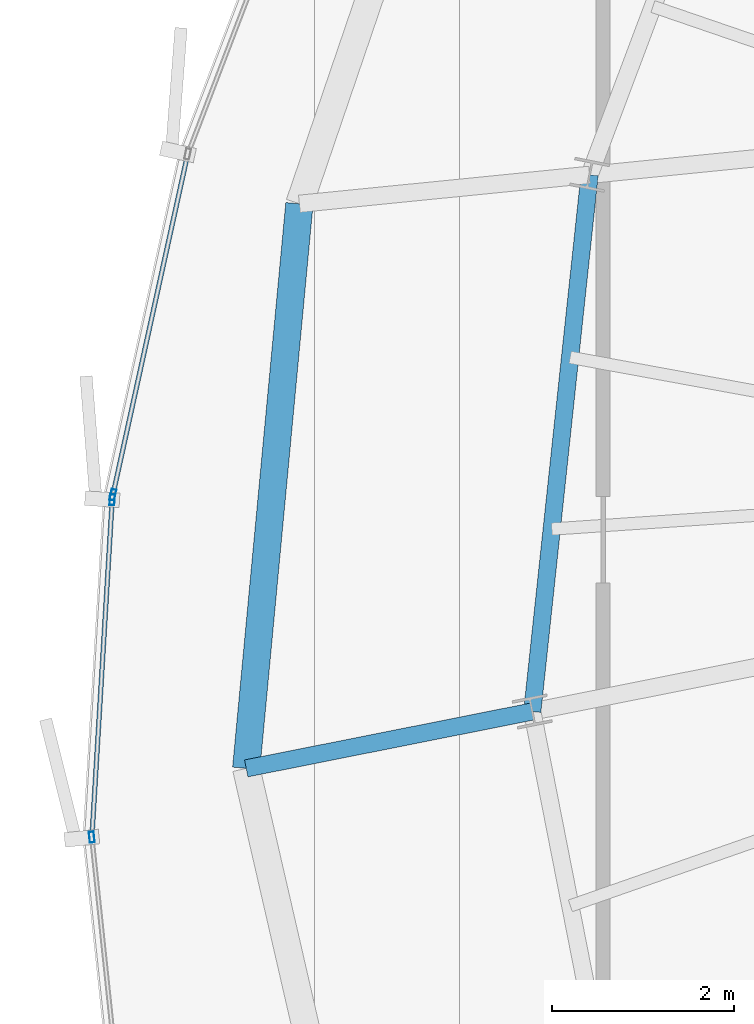
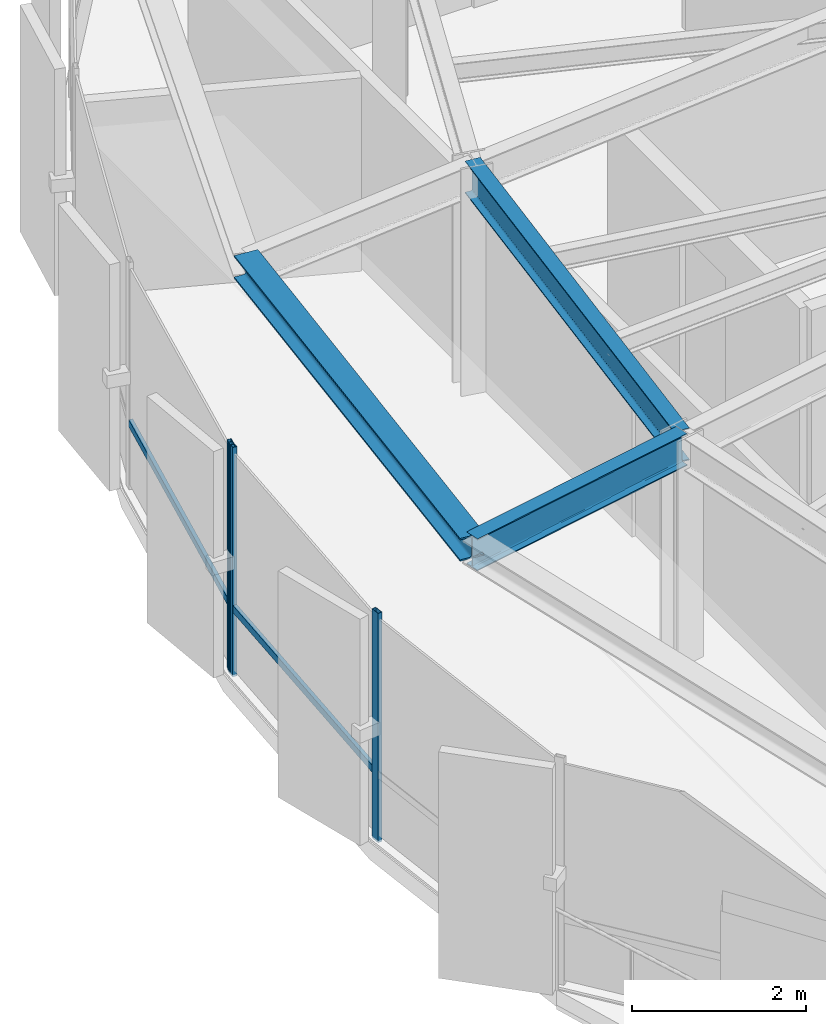
# One storey, part 9 of 34: 5 members, 3 beams, 2 elements without a shape of their own.
"""IFC4 building model written with IfcOpenShell, lengths in metres."""

from ifc_helpers import new_model, si_unit, direction, frame, origin, origin_2d, place, context, subcontext, project, spatial, hollow_rectangle, i_section, extrude, source, transform, mapped, material, layer, layer_set, material_profile, profile_set, type_object, element, aggregate, save


model = new_model("IFC4")

# Units and contexts
model_context = context("Model", 3, precision=1e-05, world=origin(), true_north=direction((0.0, 1.0)))
body_context = subcontext(model_context, "Body", "Model", "MODEL_VIEW")
ifc_project = project(units=[si_unit("LENGTHUNIT", "METRE"), si_unit("AREAUNIT", "SQUARE_METRE"), si_unit("VOLUMEUNIT", "CUBIC_METRE"), si_unit("PLANEANGLEUNIT", "RADIAN"), si_unit("MASSUNIT", "GRAM", prefix="KILO"), si_unit("THERMODYNAMICTEMPERATUREUNIT", "KELVIN")], contexts=[model_context])

# Site, building, storey
site_placement = place(None, origin())
site = spatial("IfcSite", under=ifc_project, at=site_placement, CompositionType="ELEMENT")
building_placement = place(site_placement, origin())
building = spatial("IfcBuilding", under=site, at=building_placement, Name="Kethvar Cultural Tower", CompositionType="ELEMENT")
storey_placement = place(building_placement, frame((0.0, 0.0, 262.89990234375)))
storey = spatial("IfcBuildingStorey", under=building, at=storey_placement, Name="L69", CompositionType="ELEMENT", Elevation=262.89990234375)

# Beams
ifc_material_1 = material(Name="Steel S355J2", Category="steel")
ifc_material_profile_1 = material_profile(ifc_material_1, i_section(OverallWidth=0.18994140625, OverallDepth=0.449951171875, WebThickness=0.009521484375, FlangeThickness=0.0146484375, FilletRadius=0.02099609375, at=origin_2d()), Name="Steel S355J2 — IPE450")
ifc_profile_set_1 = profile_set([ifc_material_profile_1], Name="Steel S355J2 — IPE450")
beam_type_1 = type_object("IfcBeamType", Name="BM-IPE450", PredefinedType="BEAM", material=ifc_profile_set_1)
shared_shape_1 = source(origin(), body_context, "Body", "SweptSolid", [
    extrude(i_section(OverallWidth=0.18994140625, OverallDepth=0.449951171875, WebThickness=0.009521484375, FlangeThickness=0.0146484375, FilletRadius=0.02099609375, at=origin_2d()), origin(), (0.0, 0.0, 1.0), 3.2001953125),
])
beam_1_placement = place(storey_placement, frame((31.68310546875, 24.79296875, 2.983154296875), z_axis=(-0.980788453702, -0.195074368086, 0.0), x_axis=(0.195074368086, -0.980788453702, 0.0)))
element("IfcBeam", 1, at=beam_1_placement, inside=storey, type_object=beam_type_1, Name="L69 Perimeter Cantilever Beam RC-09", PredefinedType="BEAM", context=body_context, shape_type="MappedRepresentation", body=[
    mapped(shared_shape_1, transform((0.0, 0.0, 0.0), scale=1.0)),
])
shared_shape_2 = source(origin(), body_context, "Body", "SweptSolid", [
    extrude(i_section(OverallWidth=0.18994140625, OverallDepth=0.449951171875, WebThickness=0.009521484375, FlangeThickness=0.0146484375, FilletRadius=0.02099609375, at=origin_2d()), origin(), (0.0, 0.0, 1.0), 5.92236328125),
])
beam_2_placement = place(storey_placement, frame((32.3125, 30.681884765625, 2.983154296875), z_axis=(-0.106272578913, -0.994337034899, 0.0), x_axis=(0.994337034899, -0.106272578913, 0.0)))
element("IfcBeam", 2, at=beam_2_placement, inside=storey, type_object=beam_type_1, Name="L69 Column Ring Tie Beam CR-08", PredefinedType="BEAM", context=body_context, shape_type="MappedRepresentation", body=[
    mapped(shared_shape_2, transform((0.0, 0.0, 0.0), scale=1.0)),
])
ifc_material_profile_2 = material_profile(ifc_material_1, i_section(OverallWidth=0.300048828125, OverallDepth=0.320068359375, WebThickness=0.011474609375, FlangeThickness=0.0205078125, FilletRadius=0.027099609375, at=origin_2d()), Name="Steel S355J2 — HEB320")
ifc_profile_set_2 = profile_set([ifc_material_profile_2], Name="Steel S355J2 — HEB320")
beam_type_2 = type_object("IfcBeamType", Name="BM-SP320", PredefinedType="SPANDREL", material=ifc_profile_set_2)
shared_shape_3 = source(origin(), body_context, "Body", "SweptSolid", [
    extrude(i_section(OverallWidth=0.300048828125, OverallDepth=0.320068359375, WebThickness=0.011474609375, FlangeThickness=0.0205078125, FilletRadius=0.027099609375, at=origin_2d()), origin(), (0.0, 0.0, 1.0), 6.222412109375),
])
beam_3_placement = place(storey_placement, frame((29.128173828125, 30.36376953125, 3.048095703125), z_axis=(-0.093811063392, -0.995590018223, 0.0), x_axis=(0.995590018223, -0.093811063392, 0.0)))
element("IfcBeam", 3, at=beam_3_placement, inside=storey, type_object=beam_type_2, Name="L69 Perimeter Spandrel Beam SP-08", PredefinedType="SPANDREL", context=body_context, shape_type="MappedRepresentation", body=[
    mapped(shared_shape_3, transform((0.0, 0.0, 0.0), scale=1.0)),
])

# Curtain wall, member
ifc_material_2 = material(Name="Aluminium 6063-T6", Category="aluminium")
ifc_layer = layer(ifc_material_2, 0.179931640625, Name="Aluminium 6063-T6", Category="aluminium")
ifc_layer_set = layer_set([ifc_layer], Name="Aluminium 6063-T6 (180 mm)")
curtain_wall_type = type_object("IfcCurtainWallType", Name="CW-SYS-05-Z56", PredefinedType="NOTDEFINED", material=ifc_layer_set)
curtain_wall_1_placement = place(storey_placement, origin())
curtain_wall_1 = element("IfcCurtainWall", 4, at=curtain_wall_1_placement, inside=storey, type_object=curtain_wall_type, Name="L69 Curtain Wall Run 02", PredefinedType="NOTDEFINED")
ifc_material_profile_3 = material_profile(ifc_material_2, hollow_rectangle(XDim=0.054931640625, YDim=0.1201171875, WallThickness=0.00390625, at=origin_2d()), Name="Aluminium 6063-T6 — RHS120x55x4")
ifc_profile_set_3 = profile_set([ifc_material_profile_3], Name="Aluminium 6063-T6 — RHS120x55x4")
member_type_1 = type_object("IfcMemberType", Name="CW-SYS-05-Z56-MUL", PredefinedType="MULLION", material=ifc_profile_set_3)
shared_shape_4 = source(origin(), body_context, "Body", "SweptSolid", [
    extrude(hollow_rectangle(XDim=0.054931640625, YDim=0.1201171875, WallThickness=0.00390625, at=origin_2d()), origin(), (0.0, 0.0, 1.0), 3.210205078125),
])
member_1_placement = place(storey_placement, frame((27.081787109375, 27.1708984375, 0.0), z_axis=(0.0, 0.0, 1.0), x_axis=(0.9767471756, -0.214394391152, 0.0)))
member_1 = element("IfcMember", 5, at=member_1_placement, type_object=member_type_1, Name="CW-L69-R02 Mullion 7", PredefinedType="MULLION", context=body_context, shape_type="MappedRepresentation", body=[
    mapped(shared_shape_4, transform((0.0, 0.0, 0.0), scale=1.0)),
])

# Curtain wall, members
curtain_wall_2_placement = place(storey_placement, origin())
curtain_wall_2 = element("IfcCurtainWall", 6, at=curtain_wall_2_placement, inside=storey, type_object=curtain_wall_type, Name="L69 Curtain Wall Run 03", PredefinedType="NOTDEFINED")
member_2_placement = place(storey_placement, frame((27.07421875, 27.11572265625, 0.0), z_axis=(0.0, 0.0, 1.0), x_axis=(0.998193989552, -0.060072949169, 0.0)))
member_2 = element("IfcMember", 7, at=member_2_placement, type_object=member_type_1, Name="CW-L69-R03 Mullion 1", PredefinedType="MULLION", context=body_context, shape_type="MappedRepresentation", body=[
    mapped(shared_shape_4, transform((0.0, 0.0, 0.0), scale=1.0)),
])
member_3_placement = place(storey_placement, frame((26.85009765625, 23.414306640625, 0.0), z_axis=(0.0, 0.0, 1.0), x_axis=(0.994441330025, 0.105292170359, 0.0)))
member_3 = element("IfcMember", 8, at=member_3_placement, type_object=member_type_1, Name="CW-L69-R03 Mullion 2", PredefinedType="MULLION", context=body_context, shape_type="MappedRepresentation", body=[
    mapped(shared_shape_4, transform((0.0, 0.0, 0.0), scale=1.0)),
])

# Member
ifc_material_profile_4 = material_profile(ifc_material_2, hollow_rectangle(XDim=0.050048828125, YDim=0.10009765625, WallThickness=0.00390625, at=origin_2d()), Name="Aluminium 6063-T6 — RHS100x50x4")
ifc_profile_set_4 = profile_set([ifc_material_profile_4], Name="Aluminium 6063-T6 — RHS100x50x4")
member_type_2 = type_object("IfcMemberType", Name="CW-SYS-05-Z56-TRN", PredefinedType="USERDEFINED", material=ifc_profile_set_4)
shared_shape_5 = source(origin(), body_context, "Body", "SweptSolid", [
    extrude(hollow_rectangle(XDim=0.050048828125, YDim=0.10009765625, WallThickness=0.00390625, at=origin_2d()), origin(), (0.0, 0.0, 1.0), 3.78369140625),
])
member_4_placement = place(storey_placement, frame((27.893798828125, 30.87060546875, 0.9501953125), z_axis=(-0.214347238464, -0.976757524344, 0.0), x_axis=(0.976757524344, -0.214347238464, 0.0)))
member_4 = element("IfcMember", 9, at=member_4_placement, type_object=member_type_2, Name="CW-L69-R02 Transom 6", ObjectType="TRANSOM", PredefinedType="USERDEFINED", context=body_context, shape_type="MappedRepresentation", body=[
    mapped(shared_shape_5, transform((0.0, 0.0, 0.0), scale=1.0)),
])

aggregate(curtain_wall_1, [member_1, member_4])

shared_shape_6 = source(origin(), body_context, "Body", "SweptSolid", [
    extrude(hollow_rectangle(XDim=0.050048828125, YDim=0.10009765625, WallThickness=0.00390625, at=origin_2d()), origin(), (0.0, 0.0, 1.0), 3.681396484375),
])
member_5_placement = place(storey_placement, frame((27.073974609375, 27.112060546875, 0.9501953125), z_axis=(-0.06008259557, -0.998193408969, 0.0), x_axis=(0.998193408969, -0.06008259557, 0.0)))
member_5 = element("IfcMember", 10, at=member_5_placement, type_object=member_type_2, Name="CW-L69-R03 Transom 1", ObjectType="TRANSOM", PredefinedType="USERDEFINED", context=body_context, shape_type="MappedRepresentation", body=[
    mapped(shared_shape_6, transform((0.0, 0.0, 0.0), scale=1.0)),
])

aggregate(curtain_wall_2, [member_2, member_3, member_5])

save(model, "model.ifc")
